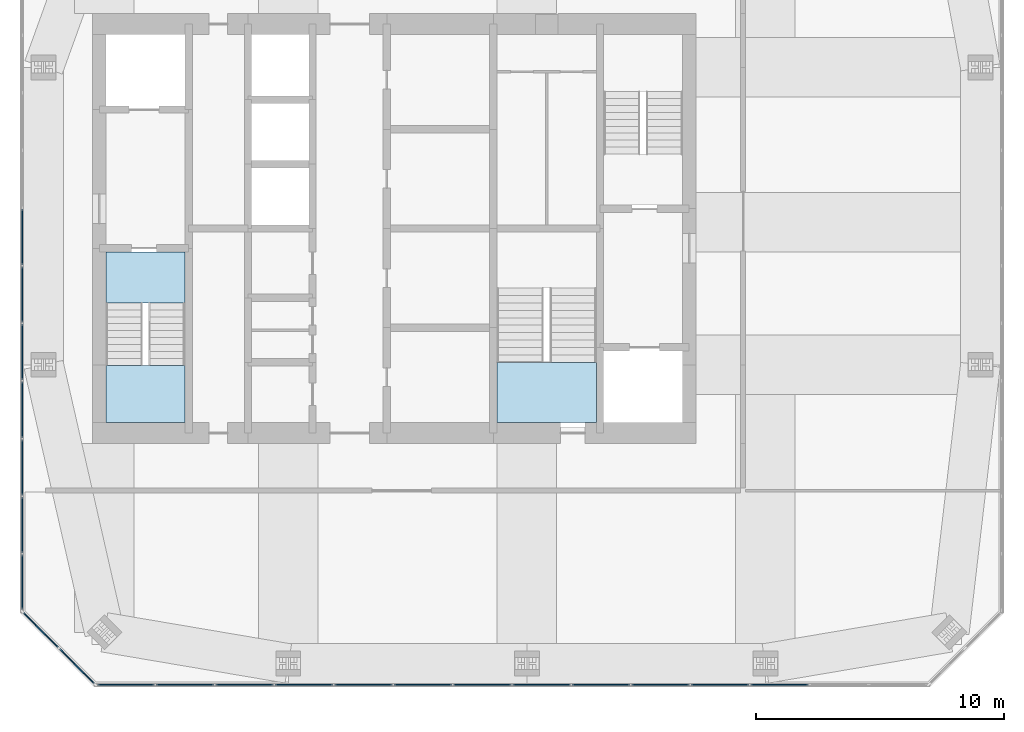
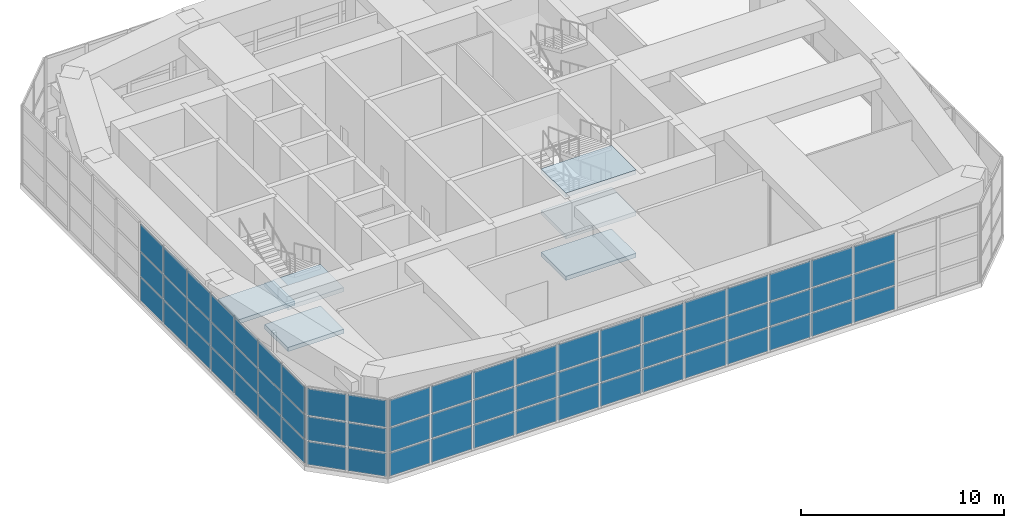
# One storey, part 8 of 14: 63 plates, 6 slabs, 5 elements without a shape of their own.
"""IFC4 building model written with IfcOpenShell, lengths in metres."""

from ifc_helpers import new_model, si_unit, direction, frame, origin, origin_2d, place, context, subcontext, project, spatial, polyline, rectangle, outline, extrude, material, layer, layer_set, type_object, element, aggregate, save


model = new_model("IFC4")

# Units and contexts
model_context = context("Model", 3, precision=1e-05, world=origin(), true_north=direction((0.0, 1.0)))
body_context = subcontext(model_context, "Body", "Model", "MODEL_VIEW")
ifc_project = project(units=[si_unit("LENGTHUNIT", "METRE"), si_unit("AREAUNIT", "SQUARE_METRE"), si_unit("VOLUMEUNIT", "CUBIC_METRE"), si_unit("PLANEANGLEUNIT", "RADIAN"), si_unit("MASSUNIT", "GRAM", prefix="KILO")], contexts=[model_context])

# Site, building, storey
site_placement = place(None, origin())
site = spatial("IfcSite", under=ifc_project, at=site_placement, CompositionType="ELEMENT")
building_placement = place(site_placement, origin())
building = spatial("IfcBuilding", under=site, at=building_placement, Name="Jalousie Tower", CompositionType="ELEMENT")
storey_placement = place(building_placement, frame((0.0, 0.0, 267.75)))
storey = spatial("IfcBuildingStorey", under=building, at=storey_placement, Name="L73", CompositionType="ELEMENT", Elevation=267.75)

# Curtain wall, plates
ifc_material_1 = material(Name="Aluminium curtain wall", Category="aluminium")
curtain_wall_type = type_object("IfcCurtainWallType", Name="CROWN LOUVRE WALL", PredefinedType="USERDEFINED", material=ifc_material_1)
curtain_wall_1_placement = place(storey_placement, origin())
curtain_wall_1 = element("IfcCurtainWall", 1, at=curtain_wall_1_placement, inside=storey, type_object=curtain_wall_type, Name="Crown Louvre Wall L73 1", ObjectType="CROWN LOUVRE WALL", PredefinedType="USERDEFINED")
ifc_material_2 = material(Name="Aluminium storm louvre panel", Category="aluminium")
ifc_layer_1 = layer(ifc_material_2, 0.050048828125)
ifc_layer_set_1 = layer_set([ifc_layer_1], Name="Aluminium storm louvre panel")
plate_type = type_object("IfcPlateType", Name="CROWN LOUVRE WALL PANEL", PredefinedType="CURTAIN_PANEL", material=ifc_layer_set_1)
plate_1_placement = place(storey_placement, frame((21.0712890625, 0.08740234375, 0.080078125), z_axis=(0.0, 0.0, 1.0), x_axis=(1.0, 0.0, 0.0)))
plate_1 = element("IfcPlate", 2, at=plate_1_placement, type_object=plate_type, Name="CW-L panel 1.1", PredefinedType="CURTAIN_PANEL", context=body_context, shape_type="SweptSolid", body=[
    extrude(rectangle(XDim=2.27978515625, YDim=0.050048828125, at=origin_2d()), origin(), (0.0, 0.0, 1.0), 1.3798828125),
])
plate_2_placement = place(storey_placement, frame((21.0712890625, 0.08740234375, 1.5400390625), z_axis=(0.0, 0.0, 1.0), x_axis=(1.0, 0.0, 0.0)))
plate_2 = element("IfcPlate", 3, at=plate_2_placement, type_object=plate_type, Name="CW-L panel 1.2", PredefinedType="CURTAIN_PANEL", context=body_context, shape_type="SweptSolid", body=[
    extrude(rectangle(XDim=2.27978515625, YDim=0.050048828125, at=origin_2d()), origin(), (0.0, 0.0, 1.0), 1.419921875),
])
plate_3_placement = place(storey_placement, frame((21.0712890625, 0.08740234375, 3.0400390625), z_axis=(0.0, 0.0, 1.0), x_axis=(1.0, 0.0, 0.0)))
plate_3 = element("IfcPlate", 4, at=plate_3_placement, type_object=plate_type, Name="CW-L panel 1.3", PredefinedType="CURTAIN_PANEL", context=body_context, shape_type="SweptSolid", body=[
    extrude(rectangle(XDim=2.27978515625, YDim=0.050048828125, at=origin_2d()), origin(), (0.0, 0.0, 1.0), 1.60009765625),
])
plate_4_placement = place(storey_placement, frame((23.450927734375, 0.08740234375, 0.080078125), z_axis=(0.0, 0.0, 1.0), x_axis=(1.0, 0.0, 0.0)))
plate_4 = element("IfcPlate", 5, at=plate_4_placement, type_object=plate_type, Name="CW-L panel 2.1", PredefinedType="CURTAIN_PANEL", context=body_context, shape_type="SweptSolid", body=[
    extrude(rectangle(XDim=2.31982421875, YDim=0.050048828125, at=origin_2d()), origin(), (0.0, 0.0, 1.0), 1.3798828125),
])
plate_5_placement = place(storey_placement, frame((23.450927734375, 0.08740234375, 1.5400390625), z_axis=(0.0, 0.0, 1.0), x_axis=(1.0, 0.0, 0.0)))
plate_5 = element("IfcPlate", 6, at=plate_5_placement, type_object=plate_type, Name="CW-L panel 2.2", PredefinedType="CURTAIN_PANEL", context=body_context, shape_type="SweptSolid", body=[
    extrude(rectangle(XDim=2.31982421875, YDim=0.050048828125, at=origin_2d()), origin(), (0.0, 0.0, 1.0), 1.419921875),
])
plate_6_placement = place(storey_placement, frame((23.450927734375, 0.08740234375, 3.0400390625), z_axis=(0.0, 0.0, 1.0), x_axis=(1.0, 0.0, 0.0)))
plate_6 = element("IfcPlate", 7, at=plate_6_placement, type_object=plate_type, Name="CW-L panel 2.3", PredefinedType="CURTAIN_PANEL", context=body_context, shape_type="SweptSolid", body=[
    extrude(rectangle(XDim=2.31982421875, YDim=0.050048828125, at=origin_2d()), origin(), (0.0, 0.0, 1.0), 1.60009765625),
])
plate_7_placement = place(storey_placement, frame((25.850830078125, 0.08740234375, 0.080078125), z_axis=(0.0, 0.0, 1.0), x_axis=(1.0, 0.0, 0.0)))
plate_7 = element("IfcPlate", 8, at=plate_7_placement, type_object=plate_type, Name="CW-L panel 3.1", PredefinedType="CURTAIN_PANEL", context=body_context, shape_type="SweptSolid", body=[
    extrude(rectangle(XDim=2.31982421875, YDim=0.050048828125, at=origin_2d()), origin(), (0.0, 0.0, 1.0), 1.3798828125),
])
plate_8_placement = place(storey_placement, frame((25.850830078125, 0.08740234375, 1.5400390625), z_axis=(0.0, 0.0, 1.0), x_axis=(1.0, 0.0, 0.0)))
plate_8 = element("IfcPlate", 9, at=plate_8_placement, type_object=plate_type, Name="CW-L panel 3.2", PredefinedType="CURTAIN_PANEL", context=body_context, shape_type="SweptSolid", body=[
    extrude(rectangle(XDim=2.31982421875, YDim=0.050048828125, at=origin_2d()), origin(), (0.0, 0.0, 1.0), 1.419921875),
])
plate_9_placement = place(storey_placement, frame((25.850830078125, 0.08740234375, 3.0400390625), z_axis=(0.0, 0.0, 1.0), x_axis=(1.0, 0.0, 0.0)))
plate_9 = element("IfcPlate", 10, at=plate_9_placement, type_object=plate_type, Name="CW-L panel 3.3", PredefinedType="CURTAIN_PANEL", context=body_context, shape_type="SweptSolid", body=[
    extrude(rectangle(XDim=2.31982421875, YDim=0.050048828125, at=origin_2d()), origin(), (0.0, 0.0, 1.0), 1.60009765625),
])
plate_10_placement = place(storey_placement, frame((28.250732421875, 0.08740234375, 0.080078125), z_axis=(0.0, 0.0, 1.0), x_axis=(1.0, 0.0, 0.0)))
plate_10 = element("IfcPlate", 11, at=plate_10_placement, type_object=plate_type, Name="CW-L panel 4.1", PredefinedType="CURTAIN_PANEL", context=body_context, shape_type="SweptSolid", body=[
    extrude(rectangle(XDim=2.31982421875, YDim=0.050048828125, at=origin_2d()), origin(), (0.0, 0.0, 1.0), 1.3798828125),
])
plate_11_placement = place(storey_placement, frame((28.250732421875, 0.08740234375, 1.5400390625), z_axis=(0.0, 0.0, 1.0), x_axis=(1.0, 0.0, 0.0)))
plate_11 = element("IfcPlate", 12, at=plate_11_placement, type_object=plate_type, Name="CW-L panel 4.2", PredefinedType="CURTAIN_PANEL", context=body_context, shape_type="SweptSolid", body=[
    extrude(rectangle(XDim=2.31982421875, YDim=0.050048828125, at=origin_2d()), origin(), (0.0, 0.0, 1.0), 1.419921875),
])
plate_12_placement = place(storey_placement, frame((28.250732421875, 0.08740234375, 3.0400390625), z_axis=(0.0, 0.0, 1.0), x_axis=(1.0, 0.0, 0.0)))
plate_12 = element("IfcPlate", 13, at=plate_12_placement, type_object=plate_type, Name="CW-L panel 4.3", PredefinedType="CURTAIN_PANEL", context=body_context, shape_type="SweptSolid", body=[
    extrude(rectangle(XDim=2.31982421875, YDim=0.050048828125, at=origin_2d()), origin(), (0.0, 0.0, 1.0), 1.60009765625),
])
plate_13_placement = place(storey_placement, frame((30.650390625, 0.08740234375, 0.080078125), z_axis=(0.0, 0.0, 1.0), x_axis=(1.0, 0.0, 0.0)))
plate_13 = element("IfcPlate", 14, at=plate_13_placement, type_object=plate_type, Name="CW-L panel 5.1", PredefinedType="CURTAIN_PANEL", context=body_context, shape_type="SweptSolid", body=[
    extrude(rectangle(XDim=2.31982421875, YDim=0.050048828125, at=origin_2d()), origin(), (0.0, 0.0, 1.0), 1.3798828125),
])
plate_14_placement = place(storey_placement, frame((30.650390625, 0.08740234375, 1.5400390625), z_axis=(0.0, 0.0, 1.0), x_axis=(1.0, 0.0, 0.0)))
plate_14 = element("IfcPlate", 15, at=plate_14_placement, type_object=plate_type, Name="CW-L panel 5.2", PredefinedType="CURTAIN_PANEL", context=body_context, shape_type="SweptSolid", body=[
    extrude(rectangle(XDim=2.31982421875, YDim=0.050048828125, at=origin_2d()), origin(), (0.0, 0.0, 1.0), 1.419921875),
])
plate_15_placement = place(storey_placement, frame((30.650390625, 0.08740234375, 3.0400390625), z_axis=(0.0, 0.0, 1.0), x_axis=(1.0, 0.0, 0.0)))
plate_15 = element("IfcPlate", 16, at=plate_15_placement, type_object=plate_type, Name="CW-L panel 5.3", PredefinedType="CURTAIN_PANEL", context=body_context, shape_type="SweptSolid", body=[
    extrude(rectangle(XDim=2.31982421875, YDim=0.050048828125, at=origin_2d()), origin(), (0.0, 0.0, 1.0), 1.60009765625),
])
plate_16_placement = place(storey_placement, frame((33.05029296875, 0.08740234375, 0.080078125), z_axis=(0.0, 0.0, 1.0), x_axis=(1.0, 0.0, 0.0)))
plate_16 = element("IfcPlate", 17, at=plate_16_placement, type_object=plate_type, Name="CW-L panel 6.1", PredefinedType="CURTAIN_PANEL", context=body_context, shape_type="SweptSolid", body=[
    extrude(rectangle(XDim=2.31982421875, YDim=0.050048828125, at=origin_2d()), origin(), (0.0, 0.0, 1.0), 1.3798828125),
])
plate_17_placement = place(storey_placement, frame((33.05029296875, 0.08740234375, 1.5400390625), z_axis=(0.0, 0.0, 1.0), x_axis=(1.0, 0.0, 0.0)))
plate_17 = element("IfcPlate", 18, at=plate_17_placement, type_object=plate_type, Name="CW-L panel 6.2", PredefinedType="CURTAIN_PANEL", context=body_context, shape_type="SweptSolid", body=[
    extrude(rectangle(XDim=2.31982421875, YDim=0.050048828125, at=origin_2d()), origin(), (0.0, 0.0, 1.0), 1.419921875),
])
plate_18_placement = place(storey_placement, frame((33.05029296875, 0.08740234375, 3.0400390625), z_axis=(0.0, 0.0, 1.0), x_axis=(1.0, 0.0, 0.0)))
plate_18 = element("IfcPlate", 19, at=plate_18_placement, type_object=plate_type, Name="CW-L panel 6.3", PredefinedType="CURTAIN_PANEL", context=body_context, shape_type="SweptSolid", body=[
    extrude(rectangle(XDim=2.31982421875, YDim=0.050048828125, at=origin_2d()), origin(), (0.0, 0.0, 1.0), 1.60009765625),
])
plate_19_placement = place(storey_placement, frame((35.4501953125, 0.08740234375, 0.080078125), z_axis=(0.0, 0.0, 1.0), x_axis=(1.0, 0.0, 0.0)))
plate_19 = element("IfcPlate", 20, at=plate_19_placement, type_object=plate_type, Name="CW-L panel 7.1", PredefinedType="CURTAIN_PANEL", context=body_context, shape_type="SweptSolid", body=[
    extrude(rectangle(XDim=2.31982421875, YDim=0.050048828125, at=origin_2d()), origin(), (0.0, 0.0, 1.0), 1.3798828125),
])
plate_20_placement = place(storey_placement, frame((35.4501953125, 0.08740234375, 1.5400390625), z_axis=(0.0, 0.0, 1.0), x_axis=(1.0, 0.0, 0.0)))
plate_20 = element("IfcPlate", 21, at=plate_20_placement, type_object=plate_type, Name="CW-L panel 7.2", PredefinedType="CURTAIN_PANEL", context=body_context, shape_type="SweptSolid", body=[
    extrude(rectangle(XDim=2.31982421875, YDim=0.050048828125, at=origin_2d()), origin(), (0.0, 0.0, 1.0), 1.419921875),
])
plate_21_placement = place(storey_placement, frame((35.4501953125, 0.08740234375, 3.0400390625), z_axis=(0.0, 0.0, 1.0), x_axis=(1.0, 0.0, 0.0)))
plate_21 = element("IfcPlate", 22, at=plate_21_placement, type_object=plate_type, Name="CW-L panel 7.3", PredefinedType="CURTAIN_PANEL", context=body_context, shape_type="SweptSolid", body=[
    extrude(rectangle(XDim=2.31982421875, YDim=0.050048828125, at=origin_2d()), origin(), (0.0, 0.0, 1.0), 1.60009765625),
])
plate_22_placement = place(storey_placement, frame((37.849853515625, 0.08740234375, 0.080078125), z_axis=(0.0, 0.0, 1.0), x_axis=(1.0, 0.0, 0.0)))
plate_22 = element("IfcPlate", 23, at=plate_22_placement, type_object=plate_type, Name="CW-L panel 8.1", PredefinedType="CURTAIN_PANEL", context=body_context, shape_type="SweptSolid", body=[
    extrude(rectangle(XDim=2.31982421875, YDim=0.050048828125, at=origin_2d()), origin(), (0.0, 0.0, 1.0), 1.3798828125),
])
plate_23_placement = place(storey_placement, frame((37.849853515625, 0.08740234375, 1.5400390625), z_axis=(0.0, 0.0, 1.0), x_axis=(1.0, 0.0, 0.0)))
plate_23 = element("IfcPlate", 24, at=plate_23_placement, type_object=plate_type, Name="CW-L panel 8.2", PredefinedType="CURTAIN_PANEL", context=body_context, shape_type="SweptSolid", body=[
    extrude(rectangle(XDim=2.31982421875, YDim=0.050048828125, at=origin_2d()), origin(), (0.0, 0.0, 1.0), 1.419921875),
])
plate_24_placement = place(storey_placement, frame((37.849853515625, 0.08740234375, 3.0400390625), z_axis=(0.0, 0.0, 1.0), x_axis=(1.0, 0.0, 0.0)))
plate_24 = element("IfcPlate", 25, at=plate_24_placement, type_object=plate_type, Name="CW-L panel 8.3", PredefinedType="CURTAIN_PANEL", context=body_context, shape_type="SweptSolid", body=[
    extrude(rectangle(XDim=2.31982421875, YDim=0.050048828125, at=origin_2d()), origin(), (0.0, 0.0, 1.0), 1.60009765625),
])
plate_25_placement = place(storey_placement, frame((40.249755859375, 0.08740234375, 0.080078125), z_axis=(0.0, 0.0, 1.0), x_axis=(1.0, 0.0, 0.0)))
plate_25 = element("IfcPlate", 26, at=plate_25_placement, type_object=plate_type, Name="CW-L panel 9.1", PredefinedType="CURTAIN_PANEL", context=body_context, shape_type="SweptSolid", body=[
    extrude(rectangle(XDim=2.31982421875, YDim=0.050048828125, at=origin_2d()), origin(), (0.0, 0.0, 1.0), 1.3798828125),
])
plate_26_placement = place(storey_placement, frame((40.249755859375, 0.08740234375, 1.5400390625), z_axis=(0.0, 0.0, 1.0), x_axis=(1.0, 0.0, 0.0)))
plate_26 = element("IfcPlate", 27, at=plate_26_placement, type_object=plate_type, Name="CW-L panel 9.2", PredefinedType="CURTAIN_PANEL", context=body_context, shape_type="SweptSolid", body=[
    extrude(rectangle(XDim=2.31982421875, YDim=0.050048828125, at=origin_2d()), origin(), (0.0, 0.0, 1.0), 1.419921875),
])
plate_27_placement = place(storey_placement, frame((40.249755859375, 0.08740234375, 3.0400390625), z_axis=(0.0, 0.0, 1.0), x_axis=(1.0, 0.0, 0.0)))
plate_27 = element("IfcPlate", 28, at=plate_27_placement, type_object=plate_type, Name="CW-L panel 9.3", PredefinedType="CURTAIN_PANEL", context=body_context, shape_type="SweptSolid", body=[
    extrude(rectangle(XDim=2.31982421875, YDim=0.050048828125, at=origin_2d()), origin(), (0.0, 0.0, 1.0), 1.60009765625),
])
plate_28_placement = place(storey_placement, frame((42.6494140625, 0.08740234375, 0.080078125), z_axis=(0.0, 0.0, 1.0), x_axis=(1.0, 0.0, 0.0)))
plate_28 = element("IfcPlate", 29, at=plate_28_placement, type_object=plate_type, Name="CW-L panel 10.1", PredefinedType="CURTAIN_PANEL", context=body_context, shape_type="SweptSolid", body=[
    extrude(rectangle(XDim=2.31982421875, YDim=0.050048828125, at=origin_2d()), origin(), (0.0, 0.0, 1.0), 1.3798828125),
])
plate_29_placement = place(storey_placement, frame((42.6494140625, 0.08740234375, 1.5400390625), z_axis=(0.0, 0.0, 1.0), x_axis=(1.0, 0.0, 0.0)))
plate_29 = element("IfcPlate", 30, at=plate_29_placement, type_object=plate_type, Name="CW-L panel 10.2", PredefinedType="CURTAIN_PANEL", context=body_context, shape_type="SweptSolid", body=[
    extrude(rectangle(XDim=2.31982421875, YDim=0.050048828125, at=origin_2d()), origin(), (0.0, 0.0, 1.0), 1.419921875),
])
plate_30_placement = place(storey_placement, frame((42.6494140625, 0.08740234375, 3.0400390625), z_axis=(0.0, 0.0, 1.0), x_axis=(1.0, 0.0, 0.0)))
plate_30 = element("IfcPlate", 31, at=plate_30_placement, type_object=plate_type, Name="CW-L panel 10.3", PredefinedType="CURTAIN_PANEL", context=body_context, shape_type="SweptSolid", body=[
    extrude(rectangle(XDim=2.31982421875, YDim=0.050048828125, at=origin_2d()), origin(), (0.0, 0.0, 1.0), 1.60009765625),
])
plate_31_placement = place(storey_placement, frame((45.04931640625, 0.08740234375, 0.080078125), z_axis=(0.0, 0.0, 1.0), x_axis=(1.0, 0.0, 0.0)))
plate_31 = element("IfcPlate", 32, at=plate_31_placement, type_object=plate_type, Name="CW-L panel 11.1", PredefinedType="CURTAIN_PANEL", context=body_context, shape_type="SweptSolid", body=[
    extrude(rectangle(XDim=2.31982421875, YDim=0.050048828125, at=origin_2d()), origin(), (0.0, 0.0, 1.0), 1.3798828125),
])
plate_32_placement = place(storey_placement, frame((45.04931640625, 0.08740234375, 1.5400390625), z_axis=(0.0, 0.0, 1.0), x_axis=(1.0, 0.0, 0.0)))
plate_32 = element("IfcPlate", 33, at=plate_32_placement, type_object=plate_type, Name="CW-L panel 11.2", PredefinedType="CURTAIN_PANEL", context=body_context, shape_type="SweptSolid", body=[
    extrude(rectangle(XDim=2.31982421875, YDim=0.050048828125, at=origin_2d()), origin(), (0.0, 0.0, 1.0), 1.419921875),
])
plate_33_placement = place(storey_placement, frame((45.04931640625, 0.08740234375, 3.0400390625), z_axis=(0.0, 0.0, 1.0), x_axis=(1.0, 0.0, 0.0)))
plate_33 = element("IfcPlate", 34, at=plate_33_placement, type_object=plate_type, Name="CW-L panel 11.3", PredefinedType="CURTAIN_PANEL", context=body_context, shape_type="SweptSolid", body=[
    extrude(rectangle(XDim=2.31982421875, YDim=0.050048828125, at=origin_2d()), origin(), (0.0, 0.0, 1.0), 1.60009765625),
])
plate_34_placement = place(storey_placement, frame((47.44921875, 0.08740234375, 0.080078125), z_axis=(0.0, 0.0, 1.0), x_axis=(1.0, 0.0, 0.0)))
plate_34 = element("IfcPlate", 35, at=plate_34_placement, type_object=plate_type, Name="CW-L panel 12.1", PredefinedType="CURTAIN_PANEL", context=body_context, shape_type="SweptSolid", body=[
    extrude(rectangle(XDim=2.31982421875, YDim=0.050048828125, at=origin_2d()), origin(), (0.0, 0.0, 1.0), 1.3798828125),
])
plate_35_placement = place(storey_placement, frame((47.44921875, 0.08740234375, 1.5400390625), z_axis=(0.0, 0.0, 1.0), x_axis=(1.0, 0.0, 0.0)))
plate_35 = element("IfcPlate", 36, at=plate_35_placement, type_object=plate_type, Name="CW-L panel 12.2", PredefinedType="CURTAIN_PANEL", context=body_context, shape_type="SweptSolid", body=[
    extrude(rectangle(XDim=2.31982421875, YDim=0.050048828125, at=origin_2d()), origin(), (0.0, 0.0, 1.0), 1.419921875),
])
plate_36_placement = place(storey_placement, frame((47.44921875, 0.08740234375, 3.0400390625), z_axis=(0.0, 0.0, 1.0), x_axis=(1.0, 0.0, 0.0)))
plate_36 = element("IfcPlate", 37, at=plate_36_placement, type_object=plate_type, Name="CW-L panel 12.3", PredefinedType="CURTAIN_PANEL", context=body_context, shape_type="SweptSolid", body=[
    extrude(rectangle(XDim=2.31982421875, YDim=0.050048828125, at=origin_2d()), origin(), (0.0, 0.0, 1.0), 1.60009765625),
])
aggregate(curtain_wall_1, [plate_1, plate_2, plate_3, plate_4, plate_5, plate_6, plate_7, plate_8, plate_9, plate_10, plate_11, plate_12, plate_13, plate_14, plate_15, plate_16, plate_17, plate_18, plate_19, plate_20, plate_21, plate_22, plate_23, plate_24, plate_25, plate_26, plate_27, plate_28, plate_29, plate_30, plate_31, plate_32, plate_33, plate_34, plate_35, plate_36])

curtain_wall_2_placement = place(storey_placement, origin())
curtain_wall_2 = element("IfcCurtainWall", 38, at=curtain_wall_2_placement, inside=storey, type_object=curtain_wall_type, Name="Crown Louvre Wall L73 7", ObjectType="CROWN LOUVRE WALL", PredefinedType="USERDEFINED")
plate_37_placement = place(storey_placement, frame((16.887451171875, 18.162353515625, 0.080078125), z_axis=(0.0, 0.0, 1.0), x_axis=(0.0, -1.0, 0.0)))
plate_37 = element("IfcPlate", 39, at=plate_37_placement, type_object=plate_type, Name="CW-L panel 6.1", PredefinedType="CURTAIN_PANEL", context=body_context, shape_type="SweptSolid", body=[
    extrude(rectangle(XDim=2.244873046875, YDim=0.050048828125, at=origin_2d()), origin(), (0.0, 0.0, 1.0), 1.3798828125),
])
plate_38_placement = place(storey_placement, frame((16.887451171875, 18.162353515625, 1.5400390625), z_axis=(0.0, 0.0, 1.0), x_axis=(0.0, -1.0, 0.0)))
plate_38 = element("IfcPlate", 40, at=plate_38_placement, type_object=plate_type, Name="CW-L panel 6.2", PredefinedType="CURTAIN_PANEL", context=body_context, shape_type="SweptSolid", body=[
    extrude(rectangle(XDim=2.244873046875, YDim=0.050048828125, at=origin_2d()), origin(), (0.0, 0.0, 1.0), 1.419921875),
])
plate_39_placement = place(storey_placement, frame((16.887451171875, 18.162353515625, 3.0400390625), z_axis=(0.0, 0.0, 1.0), x_axis=(0.0, -1.0, 0.0)))
plate_39 = element("IfcPlate", 41, at=plate_39_placement, type_object=plate_type, Name="CW-L panel 6.3", PredefinedType="CURTAIN_PANEL", context=body_context, shape_type="SweptSolid", body=[
    extrude(rectangle(XDim=2.244873046875, YDim=0.050048828125, at=origin_2d()), origin(), (0.0, 0.0, 1.0), 1.60009765625),
])
plate_40_placement = place(storey_placement, frame((16.887451171875, 15.837646484375, 0.080078125), z_axis=(0.0, 0.0, 1.0), x_axis=(0.0, -1.0, 0.0)))
plate_40 = element("IfcPlate", 42, at=plate_40_placement, type_object=plate_type, Name="CW-L panel 7.1", PredefinedType="CURTAIN_PANEL", context=body_context, shape_type="SweptSolid", body=[
    extrude(rectangle(XDim=2.244873046875, YDim=0.050048828125, at=origin_2d()), origin(), (0.0, 0.0, 1.0), 1.3798828125),
])
plate_41_placement = place(storey_placement, frame((16.887451171875, 15.837646484375, 1.5400390625), z_axis=(0.0, 0.0, 1.0), x_axis=(0.0, -1.0, 0.0)))
plate_41 = element("IfcPlate", 43, at=plate_41_placement, type_object=plate_type, Name="CW-L panel 7.2", PredefinedType="CURTAIN_PANEL", context=body_context, shape_type="SweptSolid", body=[
    extrude(rectangle(XDim=2.244873046875, YDim=0.050048828125, at=origin_2d()), origin(), (0.0, 0.0, 1.0), 1.419921875),
])
plate_42_placement = place(storey_placement, frame((16.887451171875, 15.837646484375, 3.0400390625), z_axis=(0.0, 0.0, 1.0), x_axis=(0.0, -1.0, 0.0)))
plate_42 = element("IfcPlate", 44, at=plate_42_placement, type_object=plate_type, Name="CW-L panel 7.3", PredefinedType="CURTAIN_PANEL", context=body_context, shape_type="SweptSolid", body=[
    extrude(rectangle(XDim=2.244873046875, YDim=0.050048828125, at=origin_2d()), origin(), (0.0, 0.0, 1.0), 1.60009765625),
])
plate_43_placement = place(storey_placement, frame((16.887451171875, 13.512939453125, 0.080078125), z_axis=(0.0, 0.0, 1.0), x_axis=(0.0, -1.0, 0.0)))
plate_43 = element("IfcPlate", 45, at=plate_43_placement, type_object=plate_type, Name="CW-L panel 8.1", PredefinedType="CURTAIN_PANEL", context=body_context, shape_type="SweptSolid", body=[
    extrude(rectangle(XDim=2.244873046875, YDim=0.050048828125, at=origin_2d()), origin(), (0.0, 0.0, 1.0), 1.3798828125),
])
plate_44_placement = place(storey_placement, frame((16.887451171875, 13.512939453125, 1.5400390625), z_axis=(0.0, 0.0, 1.0), x_axis=(0.0, -1.0, 0.0)))
plate_44 = element("IfcPlate", 46, at=plate_44_placement, type_object=plate_type, Name="CW-L panel 8.2", PredefinedType="CURTAIN_PANEL", context=body_context, shape_type="SweptSolid", body=[
    extrude(rectangle(XDim=2.244873046875, YDim=0.050048828125, at=origin_2d()), origin(), (0.0, 0.0, 1.0), 1.419921875),
])
plate_45_placement = place(storey_placement, frame((16.887451171875, 13.512939453125, 3.0400390625), z_axis=(0.0, 0.0, 1.0), x_axis=(0.0, -1.0, 0.0)))
plate_45 = element("IfcPlate", 47, at=plate_45_placement, type_object=plate_type, Name="CW-L panel 8.3", PredefinedType="CURTAIN_PANEL", context=body_context, shape_type="SweptSolid", body=[
    extrude(rectangle(XDim=2.244873046875, YDim=0.050048828125, at=origin_2d()), origin(), (0.0, 0.0, 1.0), 1.60009765625),
])
plate_46_placement = place(storey_placement, frame((16.887451171875, 11.18798828125, 0.080078125), z_axis=(0.0, 0.0, 1.0), x_axis=(0.0, -1.0, 0.0)))
plate_46 = element("IfcPlate", 48, at=plate_46_placement, type_object=plate_type, Name="CW-L panel 9.1", PredefinedType="CURTAIN_PANEL", context=body_context, shape_type="SweptSolid", body=[
    extrude(rectangle(XDim=2.244873046875, YDim=0.050048828125, at=origin_2d()), origin(), (0.0, 0.0, 1.0), 1.3798828125),
])
plate_47_placement = place(storey_placement, frame((16.887451171875, 11.18798828125, 1.5400390625), z_axis=(0.0, 0.0, 1.0), x_axis=(0.0, -1.0, 0.0)))
plate_47 = element("IfcPlate", 49, at=plate_47_placement, type_object=plate_type, Name="CW-L panel 9.2", PredefinedType="CURTAIN_PANEL", context=body_context, shape_type="SweptSolid", body=[
    extrude(rectangle(XDim=2.244873046875, YDim=0.050048828125, at=origin_2d()), origin(), (0.0, 0.0, 1.0), 1.419921875),
])
plate_48_placement = place(storey_placement, frame((16.887451171875, 11.18798828125, 3.0400390625), z_axis=(0.0, 0.0, 1.0), x_axis=(0.0, -1.0, 0.0)))
plate_48 = element("IfcPlate", 50, at=plate_48_placement, type_object=plate_type, Name="CW-L panel 9.3", PredefinedType="CURTAIN_PANEL", context=body_context, shape_type="SweptSolid", body=[
    extrude(rectangle(XDim=2.244873046875, YDim=0.050048828125, at=origin_2d()), origin(), (0.0, 0.0, 1.0), 1.60009765625),
])
plate_49_placement = place(storey_placement, frame((16.887451171875, 8.86328125, 0.080078125), z_axis=(0.0, 0.0, 1.0), x_axis=(0.0, -1.0, 0.0)))
plate_49 = element("IfcPlate", 51, at=plate_49_placement, type_object=plate_type, Name="CW-L panel 10.1", PredefinedType="CURTAIN_PANEL", context=body_context, shape_type="SweptSolid", body=[
    extrude(rectangle(XDim=2.244873046875, YDim=0.050048828125, at=origin_2d()), origin(), (0.0, 0.0, 1.0), 1.3798828125),
])
plate_50_placement = place(storey_placement, frame((16.887451171875, 8.86328125, 1.5400390625), z_axis=(0.0, 0.0, 1.0), x_axis=(0.0, -1.0, 0.0)))
plate_50 = element("IfcPlate", 52, at=plate_50_placement, type_object=plate_type, Name="CW-L panel 10.2", PredefinedType="CURTAIN_PANEL", context=body_context, shape_type="SweptSolid", body=[
    extrude(rectangle(XDim=2.244873046875, YDim=0.050048828125, at=origin_2d()), origin(), (0.0, 0.0, 1.0), 1.419921875),
])
plate_51_placement = place(storey_placement, frame((16.887451171875, 8.86328125, 3.0400390625), z_axis=(0.0, 0.0, 1.0), x_axis=(0.0, -1.0, 0.0)))
plate_51 = element("IfcPlate", 53, at=plate_51_placement, type_object=plate_type, Name="CW-L panel 10.3", PredefinedType="CURTAIN_PANEL", context=body_context, shape_type="SweptSolid", body=[
    extrude(rectangle(XDim=2.244873046875, YDim=0.050048828125, at=origin_2d()), origin(), (0.0, 0.0, 1.0), 1.60009765625),
])
plate_52_placement = place(storey_placement, frame((16.887451171875, 6.53857421875, 0.080078125), z_axis=(0.0, 0.0, 1.0), x_axis=(0.0, -1.0, 0.0)))
plate_52 = element("IfcPlate", 54, at=plate_52_placement, type_object=plate_type, Name="CW-L panel 11.1", PredefinedType="CURTAIN_PANEL", context=body_context, shape_type="SweptSolid", body=[
    extrude(rectangle(XDim=2.244873046875, YDim=0.050048828125, at=origin_2d()), origin(), (0.0, 0.0, 1.0), 1.3798828125),
])
plate_53_placement = place(storey_placement, frame((16.887451171875, 6.53857421875, 1.5400390625), z_axis=(0.0, 0.0, 1.0), x_axis=(0.0, -1.0, 0.0)))
plate_53 = element("IfcPlate", 55, at=plate_53_placement, type_object=plate_type, Name="CW-L panel 11.2", PredefinedType="CURTAIN_PANEL", context=body_context, shape_type="SweptSolid", body=[
    extrude(rectangle(XDim=2.244873046875, YDim=0.050048828125, at=origin_2d()), origin(), (0.0, 0.0, 1.0), 1.419921875),
])
plate_54_placement = place(storey_placement, frame((16.887451171875, 6.53857421875, 3.0400390625), z_axis=(0.0, 0.0, 1.0), x_axis=(0.0, -1.0, 0.0)))
plate_54 = element("IfcPlate", 56, at=plate_54_placement, type_object=plate_type, Name="CW-L panel 11.3", PredefinedType="CURTAIN_PANEL", context=body_context, shape_type="SweptSolid", body=[
    extrude(rectangle(XDim=2.244873046875, YDim=0.050048828125, at=origin_2d()), origin(), (0.0, 0.0, 1.0), 1.60009765625),
])
plate_55_placement = place(storey_placement, frame((16.887451171875, 4.233642578125, 0.080078125), z_axis=(0.0, 0.0, 1.0), x_axis=(0.0, -1.0, 0.0)))
plate_55 = element("IfcPlate", 57, at=plate_55_placement, type_object=plate_type, Name="CW-L panel 12.1", PredefinedType="CURTAIN_PANEL", context=body_context, shape_type="SweptSolid", body=[
    extrude(rectangle(XDim=2.204833984375, YDim=0.050048828125, at=origin_2d()), origin(), (0.0, 0.0, 1.0), 1.3798828125),
])
plate_56_placement = place(storey_placement, frame((16.887451171875, 4.233642578125, 1.5400390625), z_axis=(0.0, 0.0, 1.0), x_axis=(0.0, -1.0, 0.0)))
plate_56 = element("IfcPlate", 58, at=plate_56_placement, type_object=plate_type, Name="CW-L panel 12.2", PredefinedType="CURTAIN_PANEL", context=body_context, shape_type="SweptSolid", body=[
    extrude(rectangle(XDim=2.204833984375, YDim=0.050048828125, at=origin_2d()), origin(), (0.0, 0.0, 1.0), 1.419921875),
])
plate_57_placement = place(storey_placement, frame((16.887451171875, 4.233642578125, 3.0400390625), z_axis=(0.0, 0.0, 1.0), x_axis=(0.0, -1.0, 0.0)))
plate_57 = element("IfcPlate", 59, at=plate_57_placement, type_object=plate_type, Name="CW-L panel 12.3", PredefinedType="CURTAIN_PANEL", context=body_context, shape_type="SweptSolid", body=[
    extrude(rectangle(XDim=2.204833984375, YDim=0.050048828125, at=origin_2d()), origin(), (0.0, 0.0, 1.0), 1.60009765625),
])
aggregate(curtain_wall_2, [plate_37, plate_38, plate_39, plate_40, plate_41, plate_42, plate_43, plate_44, plate_45, plate_46, plate_47, plate_48, plate_49, plate_50, plate_51, plate_52, plate_53, plate_54, plate_55, plate_56, plate_57])

curtain_wall_3_placement = place(storey_placement, origin())
curtain_wall_3 = element("IfcCurtainWall", 60, at=curtain_wall_3_placement, inside=storey, type_object=curtain_wall_type, Name="Crown Louvre Wall L73 8", ObjectType="CROWN LOUVRE WALL", PredefinedType="USERDEFINED")
plate_58_placement = place(storey_placement, frame((17.642578125, 2.296142578125, 0.080078125), z_axis=(0.0, 0.0, 1.0), x_axis=(0.707106781187, -0.707106781187, 0.0)))
plate_58 = element("IfcPlate", 61, at=plate_58_placement, type_object=plate_type, Name="CW-L panel 1.1", PredefinedType="CURTAIN_PANEL", context=body_context, shape_type="SweptSolid", body=[
    extrude(rectangle(XDim=1.975830078125, YDim=0.050048828125, at=origin_2d()), origin(), (0.0, 0.0, 1.0), 1.3798828125),
])
plate_59_placement = place(storey_placement, frame((17.642578125, 2.296142578125, 1.5400390625), z_axis=(0.0, 0.0, 1.0), x_axis=(0.707106781187, -0.707106781187, 0.0)))
plate_59 = element("IfcPlate", 62, at=plate_59_placement, type_object=plate_type, Name="CW-L panel 1.2", PredefinedType="CURTAIN_PANEL", context=body_context, shape_type="SweptSolid", body=[
    extrude(rectangle(XDim=1.975830078125, YDim=0.050048828125, at=origin_2d()), origin(), (0.0, 0.0, 1.0), 1.419921875),
])
plate_60_placement = place(storey_placement, frame((17.642578125, 2.296142578125, 3.0400390625), z_axis=(0.0, 0.0, 1.0), x_axis=(0.707106781187, -0.707106781187, 0.0)))
plate_60 = element("IfcPlate", 63, at=plate_60_placement, type_object=plate_type, Name="CW-L panel 1.3", PredefinedType="CURTAIN_PANEL", context=body_context, shape_type="SweptSolid", body=[
    extrude(rectangle(XDim=1.975830078125, YDim=0.050048828125, at=origin_2d()), origin(), (0.0, 0.0, 1.0), 1.60009765625),
])
plate_61_placement = place(storey_placement, frame((19.09619140625, 0.842529296875, 0.080078125), z_axis=(0.0, 0.0, 1.0), x_axis=(0.707106781187, -0.707106781187, 0.0)))
plate_61 = element("IfcPlate", 64, at=plate_61_placement, type_object=plate_type, Name="CW-L panel 2.1", PredefinedType="CURTAIN_PANEL", context=body_context, shape_type="SweptSolid", body=[
    extrude(rectangle(XDim=1.975830078125, YDim=0.050048828125, at=origin_2d()), origin(), (0.0, 0.0, 1.0), 1.3798828125),
])
plate_62_placement = place(storey_placement, frame((19.09619140625, 0.842529296875, 1.5400390625), z_axis=(0.0, 0.0, 1.0), x_axis=(0.707106781187, -0.707106781187, 0.0)))
plate_62 = element("IfcPlate", 65, at=plate_62_placement, type_object=plate_type, Name="CW-L panel 2.2", PredefinedType="CURTAIN_PANEL", context=body_context, shape_type="SweptSolid", body=[
    extrude(rectangle(XDim=1.975830078125, YDim=0.050048828125, at=origin_2d()), origin(), (0.0, 0.0, 1.0), 1.419921875),
])
plate_63_placement = place(storey_placement, frame((19.09619140625, 0.842529296875, 3.0400390625), z_axis=(0.0, 0.0, 1.0), x_axis=(0.707106781187, -0.707106781187, 0.0)))
plate_63 = element("IfcPlate", 66, at=plate_63_placement, type_object=plate_type, Name="CW-L panel 2.3", PredefinedType="CURTAIN_PANEL", context=body_context, shape_type="SweptSolid", body=[
    extrude(rectangle(XDim=1.975830078125, YDim=0.050048828125, at=origin_2d()), origin(), (0.0, 0.0, 1.0), 1.60009765625),
])
aggregate(curtain_wall_3, [plate_58, plate_59, plate_60, plate_61, plate_62, plate_63])

# Stair, slabs
ifc_material_3 = material(Name="Concrete f'c 40 MPa", Category="concrete")
stair_type = type_object("IfcStairType", Name="EXIT STAIR", PredefinedType="HALF_TURN_STAIR", material=ifc_material_3)
stair_1_placement = place(storey_placement, origin())
stair_1 = element("IfcStair", 67, at=stair_1_placement, inside=storey, type_object=stair_type, Name="Exit stair A L73", PredefinedType="HALF_TURN_STAIR")
ifc_material_4 = material(Name="Concrete f'c 40 MPa", Category="concrete")
ifc_layer_2 = layer(ifc_material_4, 0.25)
ifc_layer_set_2 = layer_set([ifc_layer_2], Name="Concrete f'c 40 MPa")
slab_type = type_object("IfcSlabType", Name="STAIR LANDING 250", PredefinedType="LANDING", material=ifc_layer_set_2)
slab_1_placement = place(storey_placement, frame((0.0, 0.0, -0.25)))
slab_1 = element("IfcSlab", 68, at=slab_1_placement, type_object=slab_type, Name="ST-A landing 1", PredefinedType="LANDING", context=body_context, shape_type="SweptSolid", body=[
    extrude(outline(polyline([(20.27490234375, 15.49755859375), (23.449951171875, 15.49755859375), (23.449951171875, 17.550048828125), (20.27490234375, 17.550048828125), (20.27490234375, 15.49755859375)])), origin(), (0.0, 0.0, 1.0), 0.25),
])
slab_2_placement = place(storey_placement, frame((0.0, 0.0, 1.0)))
slab_2 = element("IfcSlab", 69, at=slab_2_placement, type_object=slab_type, Name="ST-A landing 2", PredefinedType="LANDING", context=body_context, shape_type="SweptSolid", body=[
    extrude(outline(polyline([(20.27490234375, 10.675048828125), (23.449951171875, 10.675048828125), (23.449951171875, 12.9775390625), (20.27490234375, 12.9775390625), (20.27490234375, 10.675048828125)])), origin(), (0.0, 0.0, 1.0), 0.25),
])
slab_3_placement = place(storey_placement, frame((0.0, 0.0, 3.5)))
slab_3 = element("IfcSlab", 70, at=slab_3_placement, type_object=slab_type, Name="ST-A landing 4", PredefinedType="LANDING", context=body_context, shape_type="SweptSolid", body=[
    extrude(outline(polyline([(20.27490234375, 10.675048828125), (23.449951171875, 10.675048828125), (23.449951171875, 12.9775390625), (20.27490234375, 12.9775390625), (20.27490234375, 10.675048828125)])), origin(), (0.0, 0.0, 1.0), 0.25),
])
aggregate(stair_1, [slab_1, slab_2, slab_3])

stair_2_placement = place(storey_placement, origin())
stair_2 = element("IfcStair", 71, at=stair_2_placement, inside=storey, type_object=stair_type, Name="Exit stair C L73", PredefinedType="HALF_TURN_STAIR")
slab_4_placement = place(storey_placement, frame((0.0, 0.0, -0.25)))
slab_4 = element("IfcSlab", 72, at=slab_4_placement, type_object=slab_type, Name="ST-C landing 1", PredefinedType="LANDING", context=body_context, shape_type="SweptSolid", body=[
    extrude(outline(polyline([(36.050048828125, 10.675048828125), (40.050048828125, 10.675048828125), (40.050048828125, 13.097412109375), (36.050048828125, 13.097412109375), (36.050048828125, 10.675048828125)])), origin(), (0.0, 0.0, 1.0), 0.25),
])
slab_5_placement = place(storey_placement, frame((0.0, 0.0, 2.25)))
slab_5 = element("IfcSlab", 73, at=slab_5_placement, type_object=slab_type, Name="ST-C landing 3", PredefinedType="LANDING", context=body_context, shape_type="SweptSolid", body=[
    extrude(outline(polyline([(36.050048828125, 10.675048828125), (40.050048828125, 10.675048828125), (40.050048828125, 13.097412109375), (36.050048828125, 13.097412109375), (36.050048828125, 10.675048828125)])), origin(), (0.0, 0.0, 1.0), 0.25),
])
slab_6_placement = place(storey_placement, frame((0.0, 0.0, 4.75)))
slab_6 = element("IfcSlab", 74, at=slab_6_placement, type_object=slab_type, Name="ST-C landing 5", PredefinedType="LANDING", context=body_context, shape_type="SweptSolid", body=[
    extrude(outline(polyline([(36.050048828125, 10.675048828125), (40.050048828125, 10.675048828125), (40.050048828125, 13.097412109375), (36.050048828125, 13.097412109375), (36.050048828125, 10.675048828125)])), origin(), (0.0, 0.0, 1.0), 0.25),
])
aggregate(stair_2, [slab_4, slab_5, slab_6])

save(model, "model.ifc")
